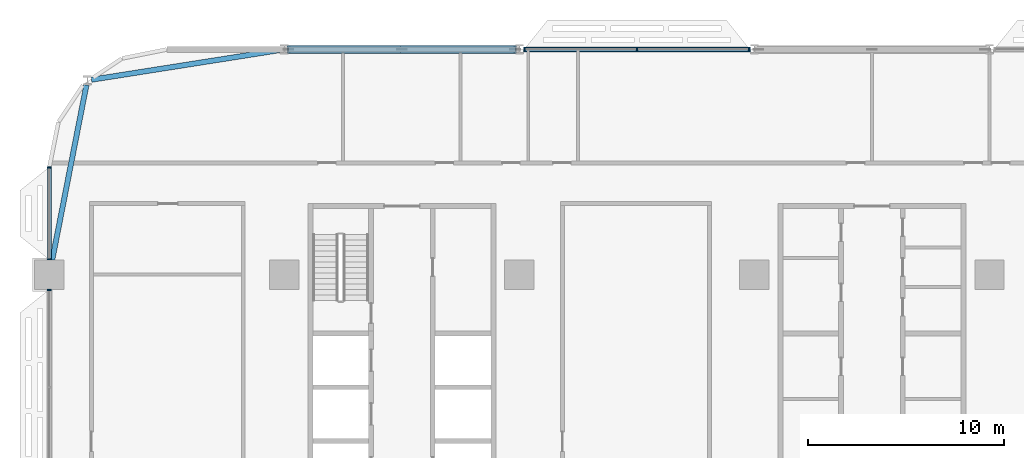
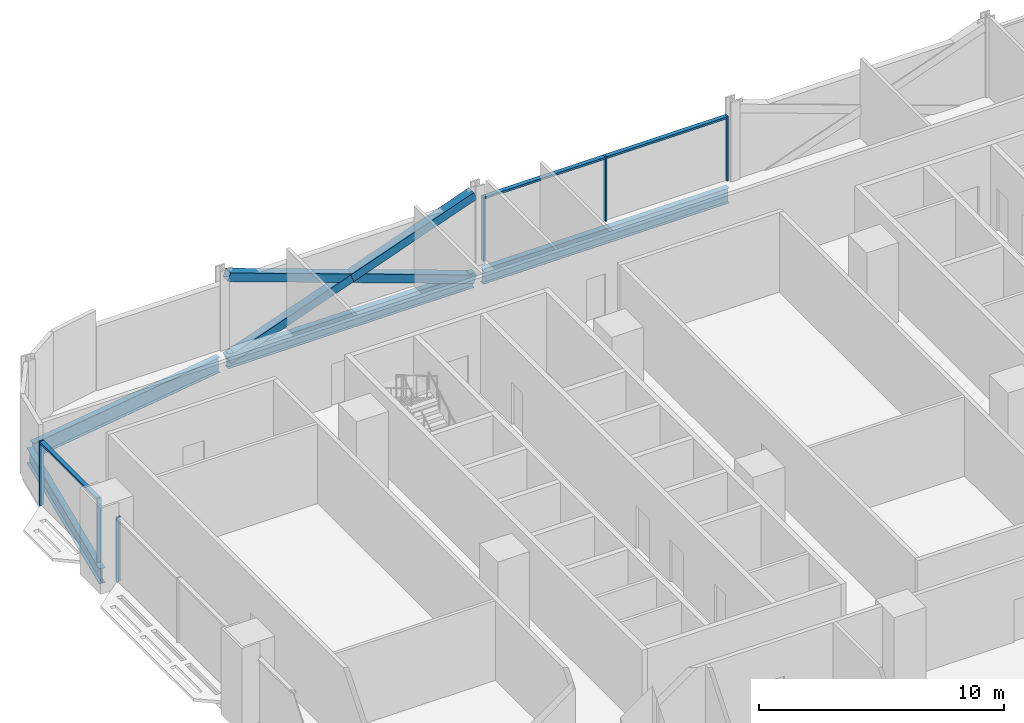
# One storey, part 6 of 29: 12 members, 4 beams, 3 elements without a shape of their own.
"""IFC4 building model written with IfcOpenShell, lengths in metres."""

from ifc_helpers import new_model, si_unit, direction, frame, origin, origin_2d, place, context, subcontext, project, spatial, rectangle, hollow_rectangle, i_section, extrude, material, material_profile, profile_set, type_object, element, aggregate, save


model = new_model("IFC4")

# Units and contexts
model_context = context("Model", 3, precision=1e-05, world=origin(), true_north=direction((0.0, 1.0)))
body_context = subcontext(model_context, "Body", "Model", "MODEL_VIEW")
ifc_project = project(units=[si_unit("LENGTHUNIT", "METRE"), si_unit("AREAUNIT", "SQUARE_METRE"), si_unit("VOLUMEUNIT", "CUBIC_METRE"), si_unit("PLANEANGLEUNIT", "RADIAN"), si_unit("MASSUNIT", "GRAM", prefix="KILO")], contexts=[model_context])

# Site, building, storey
site_placement = place(None, origin())
site = spatial("IfcSite", under=ifc_project, at=site_placement, CompositionType="ELEMENT")
building_placement = place(site_placement, origin())
building = spatial("IfcBuilding", under=site, at=building_placement, Name="Mahtab Terrace Research Tower", CompositionType="ELEMENT")
storey_placement = place(building_placement, frame((0.0, 0.0, 71.800048828125)))
storey = spatial("IfcBuildingStorey", under=building, at=storey_placement, Name="L16", CompositionType="ELEMENT", Elevation=71.800048828125)

# Members
ifc_material_1 = material(Name="Steel ASTM A500 Gr C", Category="steel")
ifc_material_profile_1 = material_profile(ifc_material_1, hollow_rectangle(XDim=0.406494140625, YDim=0.406494140625, WallThickness=0.01904296875, at=origin_2d()), Name="HSS16X16X3/4")
ifc_profile_set_1 = profile_set([ifc_material_profile_1], Name="Steel ASTM A500 Gr C")
member_type_1 = type_object("IfcMemberType", Name="HSS 16x16x3/4 brace XB161634", PredefinedType="BRACE", material=ifc_profile_set_1)
member_1_placement = place(storey_placement, frame((-18.212158203125, 23.0, -0.642578125), z_axis=(-0.94138021482, 0.0, 0.33734743388), x_axis=(0.0, -1.0, 0.0)))
element("IfcMember", 1, at=member_1_placement, inside=storey, type_object=member_type_1, Name="Exoskeleton brace L16 07 a", PredefinedType="BRACE", context=body_context, shape_type="SweptSolid", body=[
    extrude(hollow_rectangle(XDim=0.406494140625, YDim=0.406494140625, WallThickness=0.01904296875, at=origin_2d()), origin(), (0.0, 0.0, 1.0), 12.29638671875),
])
for number, where, z_axis, x_axis, name in (
    (2, (-29.787841796875, 23.0, -0.642578125), (0.941386519928, 0.0, 0.337329838731), (0.0, 1.0, 0.0), "Exoskeleton brace L16 07 b1"),
    (3, (-24.0, 23.0, 1.431396484375), (0.941373909467, 0.0, 0.337365028677), (0.0, 1.0, 0.0), "Exoskeleton brace L16 07 b2"),
):
    element("IfcMember", number, at=place(storey_placement, frame(where, z_axis=z_axis, x_axis=x_axis)), inside=storey, type_object=member_type_1, Name=name, PredefinedType="BRACE", context=body_context, shape_type="SweptSolid", body=[
        extrude(hollow_rectangle(XDim=0.406494140625, YDim=0.406494140625, WallThickness=0.01904296875, at=origin_2d()), origin(), (0.0, 0.0, 1.0), 6.148193359375),
    ])

# Curtain wall, members
ifc_material_2 = material(Name="Laboratory ribbon curtain wall")
curtain_wall_type = type_object("IfcCurtainWallType", Name="Laboratory ribbon curtain wall", PredefinedType="NOTDEFINED", material=ifc_material_2)
curtain_wall_1_placement = place(storey_placement, origin())
curtain_wall_1 = element("IfcCurtainWall", 4, at=curtain_wall_1_placement, inside=storey, type_object=curtain_wall_type, Name="EN.L16.3.8", PredefinedType="NOTDEFINED")
ifc_material_3 = material(Name="Natural anodised aluminium", Category="aluminium")
ifc_material_profile_2 = material_profile(ifc_material_3, rectangle(XDim=0.199951171875, YDim=0.06494140625, at=origin_2d()), Name="MULLION 65x200")
ifc_profile_set_2 = profile_set([ifc_material_profile_2], Name="Natural anodised aluminium")
member_type_2 = type_object("IfcMemberType", Name="Laboratory ribbon curtain wall mullion", PredefinedType="MULLION", material=ifc_profile_set_2)
member_2_placement = place(storey_placement, frame((-6.2705078125, 23.0, 0.0), z_axis=(0.0, 0.0, 1.0), x_axis=(0.0, -1.0, 0.0)))
member_2 = element("IfcMember", 5, at=member_2_placement, type_object=member_type_2, Name="CWL-2 mullion 1", PredefinedType="MULLION", context=body_context, shape_type="SweptSolid", body=[
    extrude(rectangle(XDim=0.199951171875, YDim=0.06494140625, at=origin_2d()), origin(), (0.0, 0.0, 1.0), 3.203125),
])
member_3_placement = place(storey_placement, frame((-12.0, 23.0, 0.0), z_axis=(0.0, 0.0, 1.0), x_axis=(0.0, -1.0, 0.0)))
member_3 = element("IfcMember", 6, at=member_3_placement, type_object=member_type_2, Name="CWL-2 mullion 2", PredefinedType="MULLION", context=body_context, shape_type="SweptSolid", body=[
    extrude(rectangle(XDim=0.199951171875, YDim=0.06494140625, at=origin_2d()), origin(), (0.0, 0.0, 1.0), 3.203125),
])
member_4_placement = place(storey_placement, frame((-17.7294921875, 23.0, 0.0), z_axis=(0.0, 0.0, 1.0), x_axis=(0.0, -1.0, 0.0)))
member_4 = element("IfcMember", 7, at=member_4_placement, type_object=member_type_2, Name="CWL-2 mullion 3", PredefinedType="MULLION", context=body_context, shape_type="SweptSolid", body=[
    extrude(rectangle(XDim=0.199951171875, YDim=0.06494140625, at=origin_2d()), origin(), (0.0, 0.0, 1.0), 3.203125),
])

curtain_wall_2_placement = place(storey_placement, origin())
curtain_wall_2 = element("IfcCurtainWall", 8, at=curtain_wall_2_placement, inside=storey, type_object=curtain_wall_type, Name="EN.L16.8.15", PredefinedType="NOTDEFINED")
member_5_placement = place(storey_placement, frame((-42.0, 16.967529296875, 0.0), z_axis=(0.0, 0.0, 1.0), x_axis=(1.0, 0.0, 0.0)))
member_5 = element("IfcMember", 9, at=member_5_placement, type_object=member_type_2, Name="CWL-2 mullion 1", PredefinedType="MULLION", context=body_context, shape_type="SweptSolid", body=[
    extrude(rectangle(XDim=0.199951171875, YDim=0.06494140625, at=origin_2d()), origin(), (0.0, 0.0, 1.0), 3.203125),
])
member_6_placement = place(storey_placement, frame((-42.0, 12.282470703125, 0.0), z_axis=(0.0, 0.0, 1.0), x_axis=(1.0, 0.0, 0.0)))
member_6 = element("IfcMember", 10, at=member_6_placement, type_object=member_type_2, Name="CWL-2 mullion 2", PredefinedType="MULLION", context=body_context, shape_type="SweptSolid", body=[
    extrude(rectangle(XDim=0.199951171875, YDim=0.06494140625, at=origin_2d()), origin(), (0.0, 0.0, 1.0), 3.203125),
])

# Curtain wall, member
curtain_wall_3_placement = place(storey_placement, origin())
curtain_wall_3 = element("IfcCurtainWall", 11, at=curtain_wall_3_placement, inside=storey, type_object=curtain_wall_type, Name="EN.L16.8.16", PredefinedType="NOTDEFINED")
member_7_placement = place(storey_placement, frame((-42.0, 10.717529296875, 0.0), z_axis=(0.0, 0.0, 1.0), x_axis=(1.0, 0.0, 0.0)))
member_7 = element("IfcMember", 12, at=member_7_placement, type_object=member_type_2, Name="CWL-2 mullion 1", PredefinedType="MULLION", context=body_context, shape_type="SweptSolid", body=[
    extrude(rectangle(XDim=0.199951171875, YDim=0.06494140625, at=origin_2d()), origin(), (0.0, 0.0, 1.0), 3.203125),
])
aggregate(curtain_wall_3, [member_7])

# Member
ifc_material_profile_3 = material_profile(ifc_material_3, rectangle(XDim=0.199951171875, YDim=0.10009765625, at=origin_2d()), Name="TRANSOM 100x200")
ifc_profile_set_3 = profile_set([ifc_material_profile_3], Name="Natural anodised aluminium")
member_type_3 = type_object("IfcMemberType", Name="Laboratory ribbon curtain wall transom", PredefinedType="USERDEFINED", material=ifc_profile_set_3)
member_8_placement = place(storey_placement, frame((-6.302978515625, 23.0, 3.153076171875), z_axis=(-1.0, 0.0, 0.0), x_axis=(0.0, -1.0, 0.0)))
member_8 = element("IfcMember", 13, at=member_8_placement, type_object=member_type_3, Name="CWL-2 transom 1", ObjectType="TRANSOM", PredefinedType="USERDEFINED", context=body_context, shape_type="SweptSolid", body=[
    extrude(rectangle(XDim=0.199951171875, YDim=0.10009765625, at=origin_2d()), origin(), (0.0, 0.0, 1.0), 5.66455078125),
])

member_9_placement = place(storey_placement, frame((-12.032470703125, 23.0, 3.153076171875), z_axis=(-1.0, 0.0, 0.0), x_axis=(0.0, -1.0, 0.0)))
member_9 = element("IfcMember", 14, at=member_9_placement, type_object=member_type_3, Name="CWL-2 transom 2", ObjectType="TRANSOM", PredefinedType="USERDEFINED", context=body_context, shape_type="SweptSolid", body=[
    extrude(rectangle(XDim=0.199951171875, YDim=0.10009765625, at=origin_2d()), origin(), (0.0, 0.0, 1.0), 5.66455078125),
])

aggregate(curtain_wall_1, [member_2, member_3, member_4, member_8, member_9])

member_10_placement = place(storey_placement, frame((-42.0, 16.93505859375, 3.153076171875), z_axis=(0.0, -1.0, 0.0), x_axis=(1.0, 0.0, 0.0)))
member_10 = element("IfcMember", 15, at=member_10_placement, type_object=member_type_3, Name="CWL-2 transom 1", ObjectType="TRANSOM", PredefinedType="USERDEFINED", context=body_context, shape_type="SweptSolid", body=[
    extrude(rectangle(XDim=0.199951171875, YDim=0.10009765625, at=origin_2d()), origin(), (0.0, 0.0, 1.0), 4.6201171875),
])

aggregate(curtain_wall_2, [member_5, member_6, member_10])

# Beams
ifc_material_4 = material(Name="Steel ASTM A992 Gr 50", Category="steel")
ifc_material_profile_4 = material_profile(ifc_material_4, i_section(OverallWidth=0.2666015625, OverallDepth=0.7568359375, WebThickness=0.013916015625, FlangeThickness=0.019287109375, at=origin_2d()), Name="W30X108")
ifc_profile_set_4 = profile_set([ifc_material_profile_4], Name="Steel ASTM A992 Gr 50")
beam_type = type_object("IfcBeamType", Name="W30x108 beam BS30108", PredefinedType="BEAM", material=ifc_profile_set_4)
for number, where, z_axis, x_axis, name in (
    (16, (-6.212158203125, 23.0, -0.718505859375), (-1.0, 0.0, 0.0), (0.0, -1.0, 0.0), "Spandrel beam L16 06"),
    (17, (-18.212158203125, 23.0, -0.718505859375), (-1.0, 0.0, 0.0), (0.0, -1.0, 0.0), "Spandrel beam L16 07"),
):
    element("IfcBeam", number, at=place(storey_placement, frame(where, z_axis=z_axis, x_axis=x_axis)), inside=storey, type_object=beam_type, Name=name, PredefinedType="BEAM", context=body_context, shape_type="SweptSolid", body=[
        extrude(i_section(OverallWidth=0.2666015625, OverallDepth=0.7568359375, WebThickness=0.013916015625, FlangeThickness=0.019287109375, at=origin_2d()), origin(), (0.0, 0.0, 1.0), 11.57568359375),
    ])
beam_1_placement = place(storey_placement, frame((-30.212158203125, 22.966552734375, -0.718505859375), z_axis=(-0.987836303792, -0.155497385545, 0.0), x_axis=(0.155497385545, -0.987836303792, 0.0)))
element("IfcBeam", 18, at=beam_1_placement, inside=storey, type_object=beam_type, Name="Spandrel beam L16 08", PredefinedType="BEAM", context=body_context, shape_type="SweptSolid", body=[
    extrude(i_section(OverallWidth=0.2666015625, OverallDepth=0.7568359375, WebThickness=0.013916015625, FlangeThickness=0.019287109375, at=origin_2d()), origin(), (0.0, 0.0, 1.0), 9.75634765625),
])
beam_2_placement = place(storey_placement, frame((-40.1083984375, 21.178466796875, -0.718505859375), z_axis=(-0.191825617976, -0.981429025599, 0.0), x_axis=(0.981429025599, -0.191825617976, 0.0)))
element("IfcBeam", 19, at=beam_2_placement, inside=storey, type_object=beam_type, Name="Spandrel beam L16 09", PredefinedType="BEAM", context=body_context, shape_type="SweptSolid", body=[
    extrude(i_section(OverallWidth=0.2666015625, OverallDepth=0.7568359375, WebThickness=0.013916015625, FlangeThickness=0.019287109375, at=origin_2d()), origin(), (0.0, 0.0, 1.0), 9.097412109375),
])

save(model, "model.ifc")
